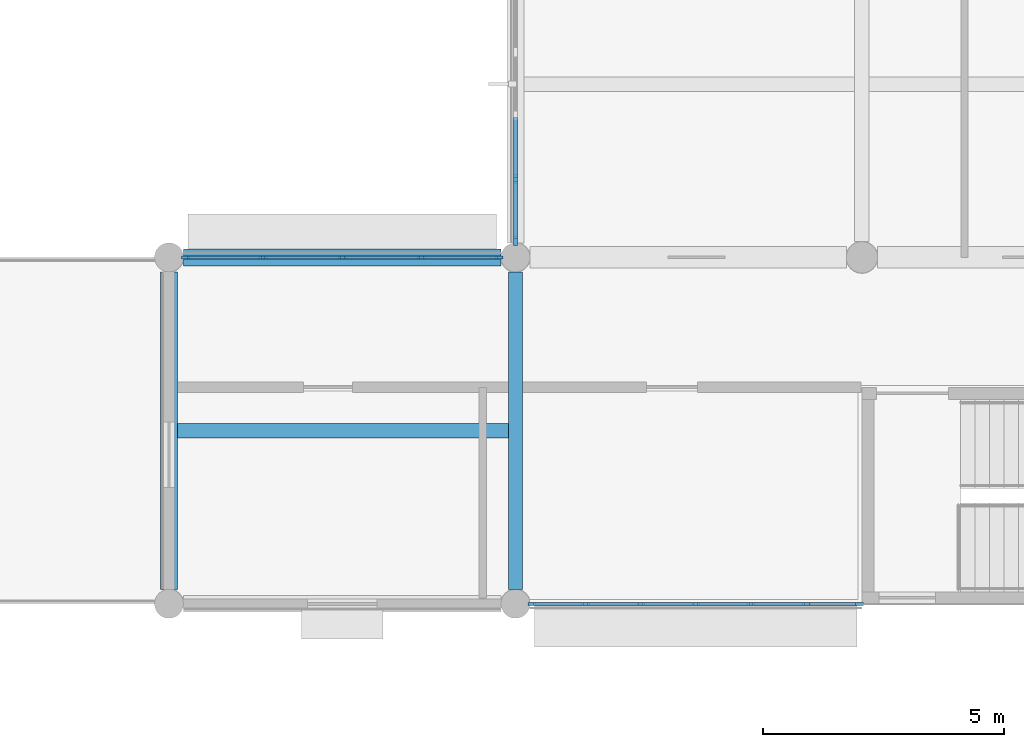
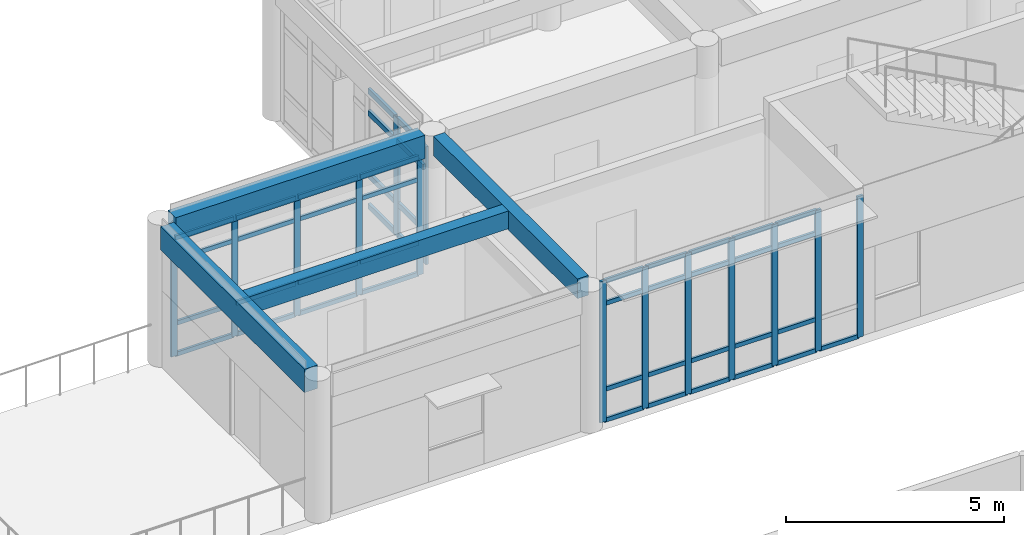
# One storey, part 8 of 55: 59 members, 4 beams, 3 elements without a shape of their own.
"""IFC4 building model written with IfcOpenShell, lengths in metres."""

from ifc_helpers import new_model, si_unit, direction, frame, origin, origin_2d, place, context, subcontext, project, spatial, rectangle, extrude, material, layer, layer_set, material_profile, profile_set, type_object, element, aggregate, save


model = new_model("IFC4")

# Units and contexts
model_context = context("Model", 3, precision=1e-05, world=origin(), true_north=direction((0.0, 1.0)))
body_context = subcontext(model_context, "Body", "Model", "MODEL_VIEW")
ifc_project = project(units=[si_unit("LENGTHUNIT", "METRE"), si_unit("AREAUNIT", "SQUARE_METRE"), si_unit("VOLUMEUNIT", "CUBIC_METRE"), si_unit("PLANEANGLEUNIT", "RADIAN"), si_unit("MASSUNIT", "GRAM", prefix="KILO")], contexts=[model_context])

# Site, building, storey
site_placement = place(None, origin())
site = spatial("IfcSite", under=ifc_project, at=site_placement, CompositionType="ELEMENT")
building_placement = place(site_placement, origin())
building = spatial("IfcBuilding", under=site, at=building_placement, Name="Namkhue Oval Health Centre", CompositionType="ELEMENT")
storey_placement = place(building_placement, frame((0.0, 0.0, 9.60009765625)))
storey = spatial("IfcBuildingStorey", under=building, at=storey_placement, Name="L02", CompositionType="ELEMENT", Elevation=9.60009765625)

# Curtain wall, members
ifc_material_1 = material(Name="Anodised aluminium EN AW-6063 T6", Category="aluminium")
ifc_layer_1 = layer(ifc_material_1, 0.159912109375)
ifc_layer_set_1 = layer_set([ifc_layer_1], Name="Anodised aluminium EN AW-6063 T6")
curtain_wall_type_1 = type_object("IfcCurtainWallType", Name="UNITISED CURTAIN WALL M1200", PredefinedType="NOTDEFINED", material=ifc_layer_set_1)
curtain_wall_1_placement = place(storey_placement, origin())
curtain_wall_1 = element("IfcCurtainWall", 1, at=curtain_wall_1_placement, inside=storey, type_object=curtain_wall_type_1, Name="Volume V2 L02 Unitised Curtain Wall 61", PredefinedType="NOTDEFINED")
ifc_material_profile_1 = material_profile(ifc_material_1, rectangle(XDim=0.06494140625, YDim=0.159912109375, at=origin_2d()), Name="ALU 65x160")
ifc_profile_set_1 = profile_set([ifc_material_profile_1], Name="Anodised aluminium EN AW-6063 T6")
member_type_1 = type_object("IfcMemberType", Name="CURTAIN WALL MULLION 65X160", PredefinedType="MULLION", material=ifc_profile_set_1)
member_1_placement = place(storey_placement, frame((50.742431640625, 90.0, 0.0), z_axis=(0.0, 0.0, 1.0), x_axis=(0.0, 1.0, 0.0)))
member_1 = element("IfcMember", 2, at=member_1_placement, type_object=member_type_1, Name="CW-01 mullion 1", PredefinedType="MULLION", context=body_context, shape_type="SweptSolid", body=[
    extrude(rectangle(XDim=0.06494140625, YDim=0.159912109375, at=origin_2d()), origin(), (0.0, 0.0, 1.0), 3.949951171875),
])
member_2_placement = place(storey_placement, frame((51.85546875, 90.0, 0.0), z_axis=(0.0, 0.0, 1.0), x_axis=(0.0, 1.0, 0.0)))
member_2 = element("IfcMember", 3, at=member_2_placement, type_object=member_type_1, Name="CW-01 mullion 2", PredefinedType="MULLION", context=body_context, shape_type="SweptSolid", body=[
    extrude(rectangle(XDim=0.06494140625, YDim=0.159912109375, at=origin_2d()), origin(), (0.0, 0.0, 1.0), 3.949951171875),
])
member_3_placement = place(storey_placement, frame((53.0009765625, 90.0, 0.0), z_axis=(0.0, 0.0, 1.0), x_axis=(0.0, 1.0, 0.0)))
member_3 = element("IfcMember", 4, at=member_3_placement, type_object=member_type_1, Name="CW-01 mullion 3", PredefinedType="MULLION", context=body_context, shape_type="SweptSolid", body=[
    extrude(rectangle(XDim=0.06494140625, YDim=0.159912109375, at=origin_2d()), origin(), (0.0, 0.0, 1.0), 3.949951171875),
])
member_4_placement = place(storey_placement, frame((54.146484375, 90.0, 0.0), z_axis=(0.0, 0.0, 1.0), x_axis=(0.0, 1.0, 0.0)))
member_4 = element("IfcMember", 5, at=member_4_placement, type_object=member_type_1, Name="CW-01 mullion 4", PredefinedType="MULLION", context=body_context, shape_type="SweptSolid", body=[
    extrude(rectangle(XDim=0.06494140625, YDim=0.159912109375, at=origin_2d()), origin(), (0.0, 0.0, 1.0), 3.949951171875),
])
member_5_placement = place(storey_placement, frame((55.2919921875, 90.0, 0.0), z_axis=(0.0, 0.0, 1.0), x_axis=(0.0, 1.0, 0.0)))
member_5 = element("IfcMember", 6, at=member_5_placement, type_object=member_type_1, Name="CW-01 mullion 5", PredefinedType="MULLION", context=body_context, shape_type="SweptSolid", body=[
    extrude(rectangle(XDim=0.06494140625, YDim=0.159912109375, at=origin_2d()), origin(), (0.0, 0.0, 1.0), 3.949951171875),
])
member_6_placement = place(storey_placement, frame((56.4375, 90.0, 0.0), z_axis=(0.0, 0.0, 1.0), x_axis=(0.0, 1.0, 0.0)))
member_6 = element("IfcMember", 7, at=member_6_placement, type_object=member_type_1, Name="CW-01 mullion 6", PredefinedType="MULLION", context=body_context, shape_type="SweptSolid", body=[
    extrude(rectangle(XDim=0.06494140625, YDim=0.159912109375, at=origin_2d()), origin(), (0.0, 0.0, 1.0), 3.949951171875),
])
member_7_placement = place(storey_placement, frame((57.550537109375, 90.0, 0.0), z_axis=(0.0, 0.0, 1.0), x_axis=(0.0, 1.0, 0.0)))
member_7 = element("IfcMember", 8, at=member_7_placement, type_object=member_type_1, Name="CW-01 mullion 7", PredefinedType="MULLION", context=body_context, shape_type="SweptSolid", body=[
    extrude(rectangle(XDim=0.06494140625, YDim=0.159912109375, at=origin_2d()), origin(), (0.0, 0.0, 1.0), 3.949951171875),
])

ifc_layer_2 = layer(ifc_material_1, 0.159912109375)
ifc_layer_set_2 = layer_set([ifc_layer_2], Name="Anodised aluminium EN AW-6063 T6")
curtain_wall_type_2 = type_object("IfcCurtainWallType", Name="UNITISED CURTAIN WALL M1500", PredefinedType="NOTDEFINED", material=ifc_layer_set_2)
curtain_wall_2_placement = place(storey_placement, origin())
curtain_wall_2 = element("IfcCurtainWall", 9, at=curtain_wall_2_placement, inside=storey, type_object=curtain_wall_type_2, Name="Volume V2 L02 Unitised Curtain Wall 69", PredefinedType="NOTDEFINED")
member_8_placement = place(storey_placement, frame((50.0576171875, 97.199951171875, 0.0), z_axis=(0.0, 0.0, 1.0), x_axis=(0.0, -1.0, 0.0)))
member_8 = element("IfcMember", 10, at=member_8_placement, type_object=member_type_1, Name="CW-03 mullion 1", PredefinedType="MULLION", context=body_context, shape_type="SweptSolid", body=[
    extrude(rectangle(XDim=0.06494140625, YDim=0.159912109375, at=origin_2d()), origin(), (0.0, 0.0, 1.0), 3.327880859375),
])
member_9_placement = place(storey_placement, frame((48.445068359375, 97.199951171875, 0.0), z_axis=(0.0, 0.0, 1.0), x_axis=(0.0, -1.0, 0.0)))
member_9 = element("IfcMember", 11, at=member_9_placement, type_object=member_type_1, Name="CW-03 mullion 2", PredefinedType="MULLION", context=body_context, shape_type="SweptSolid", body=[
    extrude(rectangle(XDim=0.06494140625, YDim=0.159912109375, at=origin_2d()), origin(), (0.0, 0.0, 1.0), 3.327880859375),
])
member_10_placement = place(storey_placement, frame((46.800048828125, 97.199951171875, 0.0), z_axis=(0.0, 0.0, 1.0), x_axis=(0.0, -1.0, 0.0)))
member_10 = element("IfcMember", 12, at=member_10_placement, type_object=member_type_1, Name="CW-03 mullion 3", PredefinedType="MULLION", context=body_context, shape_type="SweptSolid", body=[
    extrude(rectangle(XDim=0.06494140625, YDim=0.159912109375, at=origin_2d()), origin(), (0.0, 0.0, 1.0), 3.327880859375),
])
member_11_placement = place(storey_placement, frame((45.155029296875, 97.199951171875, 0.0), z_axis=(0.0, 0.0, 1.0), x_axis=(0.0, -1.0, 0.0)))
member_11 = element("IfcMember", 13, at=member_11_placement, type_object=member_type_1, Name="CW-03 mullion 4", PredefinedType="MULLION", context=body_context, shape_type="SweptSolid", body=[
    extrude(rectangle(XDim=0.06494140625, YDim=0.159912109375, at=origin_2d()), origin(), (0.0, 0.0, 1.0), 3.327880859375),
])
member_12_placement = place(storey_placement, frame((43.54248046875, 97.199951171875, 0.0), z_axis=(0.0, 0.0, 1.0), x_axis=(0.0, -1.0, 0.0)))
member_12 = element("IfcMember", 14, at=member_12_placement, type_object=member_type_1, Name="CW-03 mullion 5", PredefinedType="MULLION", context=body_context, shape_type="SweptSolid", body=[
    extrude(rectangle(XDim=0.06494140625, YDim=0.159912109375, at=origin_2d()), origin(), (0.0, 0.0, 1.0), 3.327880859375),
])

ifc_layer_3 = layer(ifc_material_1, 0.159912109375)
ifc_layer_set_3 = layer_set([ifc_layer_3], Name="Anodised aluminium EN AW-6063 T6")
curtain_wall_type_3 = type_object("IfcCurtainWallType", Name="UNITISED CURTAIN WALL M1350", PredefinedType="NOTDEFINED", material=ifc_layer_set_3)
curtain_wall_3_placement = place(storey_placement, origin())
curtain_wall_3 = element("IfcCurtainWall", 15, at=curtain_wall_3_placement, inside=storey, type_object=curtain_wall_type_3, Name="Volume V2 L02 Unitised Curtain Wall 68", PredefinedType="NOTDEFINED")
ifc_material_profile_2 = material_profile(ifc_material_1, rectangle(XDim=0.074951171875, YDim=0.199951171875, at=origin_2d()), Name="ALU 75x200")
ifc_profile_set_2 = profile_set([ifc_material_profile_2], Name="Anodised aluminium EN AW-6063 T6")
member_type_2 = type_object("IfcMemberType", Name="CURTAIN WALL MULLION 75X200", PredefinedType="MULLION", material=ifc_profile_set_2)
member_13_placement = place(storey_placement, frame((50.39990234375, 98.825927734375, 0.0), z_axis=(0.0, 0.0, 1.0), x_axis=(1.0, 0.0, 0.0)))
member_13 = element("IfcMember", 16, at=member_13_placement, type_object=member_type_2, Name="CW-02 mullion 5", PredefinedType="MULLION", context=body_context, shape_type="SweptSolid", body=[
    extrude(rectangle(XDim=0.074951171875, YDim=0.199951171875, at=origin_2d()), origin(), (0.0, 0.0, 1.0), 3.2998046875),
])
member_14_placement = place(storey_placement, frame((50.39990234375, 97.547607421875, 0.0), z_axis=(0.0, 0.0, 1.0), x_axis=(1.0, 0.0, 0.0)))
member_14 = element("IfcMember", 17, at=member_14_placement, type_object=member_type_2, Name="CW-02 mullion 6", PredefinedType="MULLION", context=body_context, shape_type="SweptSolid", body=[
    extrude(rectangle(XDim=0.074951171875, YDim=0.199951171875, at=origin_2d()), origin(), (0.0, 0.0, 1.0), 3.2998046875),
])

# Member
ifc_material_profile_3 = material_profile(ifc_material_1, rectangle(XDim=0.06494140625, YDim=0.1201171875, at=origin_2d()), Name="ALU 65x120")
ifc_profile_set_3 = profile_set([ifc_material_profile_3], Name="Anodised aluminium EN AW-6063 T6")
member_type_3 = type_object("IfcMemberType", Name="CURTAIN WALL TRANSOM 65X120", PredefinedType="USERDEFINED", material=ifc_profile_set_3)
member_15_placement = place(storey_placement, frame((50.77490234375, 90.0, 0.032470703125), z_axis=(1.0, 0.0, 0.0), x_axis=(0.0, 1.0, 0.0)))
member_15 = element("IfcMember", 18, at=member_15_placement, type_object=member_type_3, Name="CW-01 transom 1.1", ObjectType="TRANSOM", PredefinedType="USERDEFINED", context=body_context, shape_type="SweptSolid", body=[
    extrude(rectangle(XDim=0.06494140625, YDim=0.1201171875, at=origin_2d()), origin(), (0.0, 0.0, 1.0), 1.048095703125),
])

member_16_placement = place(storey_placement, frame((50.77490234375, 90.0, 0.89990234375), z_axis=(1.0, 0.0, 0.0), x_axis=(0.0, 1.0, 0.0)))
member_16 = element("IfcMember", 19, at=member_16_placement, type_object=member_type_3, Name="CW-01 transom 1.2", ObjectType="TRANSOM", PredefinedType="USERDEFINED", context=body_context, shape_type="SweptSolid", body=[
    extrude(rectangle(XDim=0.06494140625, YDim=0.1201171875, at=origin_2d()), origin(), (0.0, 0.0, 1.0), 1.048095703125),
])

member_17_placement = place(storey_placement, frame((50.77490234375, 90.0, 3.2998046875), z_axis=(1.0, 0.0, 0.0), x_axis=(0.0, 1.0, 0.0)))
member_17 = element("IfcMember", 20, at=member_17_placement, type_object=member_type_3, Name="CW-01 transom 1.3", ObjectType="TRANSOM", PredefinedType="USERDEFINED", context=body_context, shape_type="SweptSolid", body=[
    extrude(rectangle(XDim=0.06494140625, YDim=0.1201171875, at=origin_2d()), origin(), (0.0, 0.0, 1.0), 1.048095703125),
])

member_18_placement = place(storey_placement, frame((50.77490234375, 90.0, 3.91748046875), z_axis=(1.0, 0.0, 0.0), x_axis=(0.0, 1.0, 0.0)))
member_18 = element("IfcMember", 21, at=member_18_placement, type_object=member_type_3, Name="CW-01 transom 1.4", ObjectType="TRANSOM", PredefinedType="USERDEFINED", context=body_context, shape_type="SweptSolid", body=[
    extrude(rectangle(XDim=0.06494140625, YDim=0.1201171875, at=origin_2d()), origin(), (0.0, 0.0, 1.0), 1.048095703125),
])

member_19_placement = place(storey_placement, frame((51.887939453125, 90.0, 0.032470703125), z_axis=(1.0, 0.0, 0.0), x_axis=(0.0, 1.0, 0.0)))
member_19 = element("IfcMember", 22, at=member_19_placement, type_object=member_type_3, Name="CW-01 transom 2.1", ObjectType="TRANSOM", PredefinedType="USERDEFINED", context=body_context, shape_type="SweptSolid", body=[
    extrude(rectangle(XDim=0.06494140625, YDim=0.1201171875, at=origin_2d()), origin(), (0.0, 0.0, 1.0), 1.08056640625),
])

member_20_placement = place(storey_placement, frame((51.887939453125, 90.0, 0.89990234375), z_axis=(1.0, 0.0, 0.0), x_axis=(0.0, 1.0, 0.0)))
member_20 = element("IfcMember", 23, at=member_20_placement, type_object=member_type_3, Name="CW-01 transom 2.2", ObjectType="TRANSOM", PredefinedType="USERDEFINED", context=body_context, shape_type="SweptSolid", body=[
    extrude(rectangle(XDim=0.06494140625, YDim=0.1201171875, at=origin_2d()), origin(), (0.0, 0.0, 1.0), 1.08056640625),
])

member_21_placement = place(storey_placement, frame((51.887939453125, 90.0, 3.2998046875), z_axis=(1.0, 0.0, 0.0), x_axis=(0.0, 1.0, 0.0)))
member_21 = element("IfcMember", 24, at=member_21_placement, type_object=member_type_3, Name="CW-01 transom 2.3", ObjectType="TRANSOM", PredefinedType="USERDEFINED", context=body_context, shape_type="SweptSolid", body=[
    extrude(rectangle(XDim=0.06494140625, YDim=0.1201171875, at=origin_2d()), origin(), (0.0, 0.0, 1.0), 1.08056640625),
])

member_22_placement = place(storey_placement, frame((51.887939453125, 90.0, 3.91748046875), z_axis=(1.0, 0.0, 0.0), x_axis=(0.0, 1.0, 0.0)))
member_22 = element("IfcMember", 25, at=member_22_placement, type_object=member_type_3, Name="CW-01 transom 2.4", ObjectType="TRANSOM", PredefinedType="USERDEFINED", context=body_context, shape_type="SweptSolid", body=[
    extrude(rectangle(XDim=0.06494140625, YDim=0.1201171875, at=origin_2d()), origin(), (0.0, 0.0, 1.0), 1.08056640625),
])

member_23_placement = place(storey_placement, frame((53.033447265625, 90.0, 0.032470703125), z_axis=(1.0, 0.0, 0.0), x_axis=(0.0, 1.0, 0.0)))
member_23 = element("IfcMember", 26, at=member_23_placement, type_object=member_type_3, Name="CW-01 transom 3.1", ObjectType="TRANSOM", PredefinedType="USERDEFINED", context=body_context, shape_type="SweptSolid", body=[
    extrude(rectangle(XDim=0.06494140625, YDim=0.1201171875, at=origin_2d()), origin(), (0.0, 0.0, 1.0), 1.08056640625),
])

member_24_placement = place(storey_placement, frame((53.033447265625, 90.0, 0.89990234375), z_axis=(1.0, 0.0, 0.0), x_axis=(0.0, 1.0, 0.0)))
member_24 = element("IfcMember", 27, at=member_24_placement, type_object=member_type_3, Name="CW-01 transom 3.2", ObjectType="TRANSOM", PredefinedType="USERDEFINED", context=body_context, shape_type="SweptSolid", body=[
    extrude(rectangle(XDim=0.06494140625, YDim=0.1201171875, at=origin_2d()), origin(), (0.0, 0.0, 1.0), 1.08056640625),
])

member_25_placement = place(storey_placement, frame((53.033447265625, 90.0, 3.2998046875), z_axis=(1.0, 0.0, 0.0), x_axis=(0.0, 1.0, 0.0)))
member_25 = element("IfcMember", 28, at=member_25_placement, type_object=member_type_3, Name="CW-01 transom 3.3", ObjectType="TRANSOM", PredefinedType="USERDEFINED", context=body_context, shape_type="SweptSolid", body=[
    extrude(rectangle(XDim=0.06494140625, YDim=0.1201171875, at=origin_2d()), origin(), (0.0, 0.0, 1.0), 1.08056640625),
])

member_26_placement = place(storey_placement, frame((53.033447265625, 90.0, 3.91748046875), z_axis=(1.0, 0.0, 0.0), x_axis=(0.0, 1.0, 0.0)))
member_26 = element("IfcMember", 29, at=member_26_placement, type_object=member_type_3, Name="CW-01 transom 3.4", ObjectType="TRANSOM", PredefinedType="USERDEFINED", context=body_context, shape_type="SweptSolid", body=[
    extrude(rectangle(XDim=0.06494140625, YDim=0.1201171875, at=origin_2d()), origin(), (0.0, 0.0, 1.0), 1.08056640625),
])

member_27_placement = place(storey_placement, frame((54.178955078125, 90.0, 0.032470703125), z_axis=(1.0, 0.0, 0.0), x_axis=(0.0, 1.0, 0.0)))
member_27 = element("IfcMember", 30, at=member_27_placement, type_object=member_type_3, Name="CW-01 transom 4.1", ObjectType="TRANSOM", PredefinedType="USERDEFINED", context=body_context, shape_type="SweptSolid", body=[
    extrude(rectangle(XDim=0.06494140625, YDim=0.1201171875, at=origin_2d()), origin(), (0.0, 0.0, 1.0), 1.08056640625),
])

member_28_placement = place(storey_placement, frame((54.178955078125, 90.0, 0.89990234375), z_axis=(1.0, 0.0, 0.0), x_axis=(0.0, 1.0, 0.0)))
member_28 = element("IfcMember", 31, at=member_28_placement, type_object=member_type_3, Name="CW-01 transom 4.2", ObjectType="TRANSOM", PredefinedType="USERDEFINED", context=body_context, shape_type="SweptSolid", body=[
    extrude(rectangle(XDim=0.06494140625, YDim=0.1201171875, at=origin_2d()), origin(), (0.0, 0.0, 1.0), 1.08056640625),
])

member_29_placement = place(storey_placement, frame((54.178955078125, 90.0, 3.2998046875), z_axis=(1.0, 0.0, 0.0), x_axis=(0.0, 1.0, 0.0)))
member_29 = element("IfcMember", 32, at=member_29_placement, type_object=member_type_3, Name="CW-01 transom 4.3", ObjectType="TRANSOM", PredefinedType="USERDEFINED", context=body_context, shape_type="SweptSolid", body=[
    extrude(rectangle(XDim=0.06494140625, YDim=0.1201171875, at=origin_2d()), origin(), (0.0, 0.0, 1.0), 1.08056640625),
])

member_30_placement = place(storey_placement, frame((54.178955078125, 90.0, 3.91748046875), z_axis=(1.0, 0.0, 0.0), x_axis=(0.0, 1.0, 0.0)))
member_30 = element("IfcMember", 33, at=member_30_placement, type_object=member_type_3, Name="CW-01 transom 4.4", ObjectType="TRANSOM", PredefinedType="USERDEFINED", context=body_context, shape_type="SweptSolid", body=[
    extrude(rectangle(XDim=0.06494140625, YDim=0.1201171875, at=origin_2d()), origin(), (0.0, 0.0, 1.0), 1.08056640625),
])

member_31_placement = place(storey_placement, frame((55.324462890625, 90.0, 0.032470703125), z_axis=(1.0, 0.0, 0.0), x_axis=(0.0, 1.0, 0.0)))
member_31 = element("IfcMember", 34, at=member_31_placement, type_object=member_type_3, Name="CW-01 transom 5.1", ObjectType="TRANSOM", PredefinedType="USERDEFINED", context=body_context, shape_type="SweptSolid", body=[
    extrude(rectangle(XDim=0.06494140625, YDim=0.1201171875, at=origin_2d()), origin(), (0.0, 0.0, 1.0), 1.08056640625),
])

member_32_placement = place(storey_placement, frame((55.324462890625, 90.0, 0.89990234375), z_axis=(1.0, 0.0, 0.0), x_axis=(0.0, 1.0, 0.0)))
member_32 = element("IfcMember", 35, at=member_32_placement, type_object=member_type_3, Name="CW-01 transom 5.2", ObjectType="TRANSOM", PredefinedType="USERDEFINED", context=body_context, shape_type="SweptSolid", body=[
    extrude(rectangle(XDim=0.06494140625, YDim=0.1201171875, at=origin_2d()), origin(), (0.0, 0.0, 1.0), 1.08056640625),
])

member_33_placement = place(storey_placement, frame((55.324462890625, 90.0, 3.2998046875), z_axis=(1.0, 0.0, 0.0), x_axis=(0.0, 1.0, 0.0)))
member_33 = element("IfcMember", 36, at=member_33_placement, type_object=member_type_3, Name="CW-01 transom 5.3", ObjectType="TRANSOM", PredefinedType="USERDEFINED", context=body_context, shape_type="SweptSolid", body=[
    extrude(rectangle(XDim=0.06494140625, YDim=0.1201171875, at=origin_2d()), origin(), (0.0, 0.0, 1.0), 1.08056640625),
])

member_34_placement = place(storey_placement, frame((55.324462890625, 90.0, 3.91748046875), z_axis=(1.0, 0.0, 0.0), x_axis=(0.0, 1.0, 0.0)))
member_34 = element("IfcMember", 37, at=member_34_placement, type_object=member_type_3, Name="CW-01 transom 5.4", ObjectType="TRANSOM", PredefinedType="USERDEFINED", context=body_context, shape_type="SweptSolid", body=[
    extrude(rectangle(XDim=0.06494140625, YDim=0.1201171875, at=origin_2d()), origin(), (0.0, 0.0, 1.0), 1.08056640625),
])

member_35_placement = place(storey_placement, frame((56.469970703125, 90.0, 0.032470703125), z_axis=(1.0, 0.0, 0.0), x_axis=(0.0, 1.0, 0.0)))
member_35 = element("IfcMember", 38, at=member_35_placement, type_object=member_type_3, Name="CW-01 transom 6.1", ObjectType="TRANSOM", PredefinedType="USERDEFINED", context=body_context, shape_type="SweptSolid", body=[
    extrude(rectangle(XDim=0.06494140625, YDim=0.1201171875, at=origin_2d()), origin(), (0.0, 0.0, 1.0), 1.048095703125),
])

aggregate(curtain_wall_1, [member_1, member_2, member_3, member_4, member_5, member_6, member_7, member_15, member_16, member_17, member_18, member_19, member_20, member_21, member_22, member_23, member_24, member_25, member_26, member_27, member_28, member_29, member_30, member_31, member_32, member_33, member_34, member_35])

member_36_placement = place(storey_placement, frame((50.02490234375, 97.199951171875, 0.032470703125), z_axis=(-1.0, 0.0, 0.0), x_axis=(0.0, -1.0, 0.0)))
member_36 = element("IfcMember", 39, at=member_36_placement, type_object=member_type_3, Name="CW-03 transom 1.1", ObjectType="TRANSOM", PredefinedType="USERDEFINED", context=body_context, shape_type="SweptSolid", body=[
    extrude(rectangle(XDim=0.06494140625, YDim=0.1201171875, at=origin_2d()), origin(), (0.0, 0.0, 1.0), 1.54736328125),
])

member_37_placement = place(storey_placement, frame((50.02490234375, 97.199951171875, 0.89990234375), z_axis=(-1.0, 0.0, 0.0), x_axis=(0.0, -1.0, 0.0)))
member_37 = element("IfcMember", 40, at=member_37_placement, type_object=member_type_3, Name="CW-03 transom 1.2", ObjectType="TRANSOM", PredefinedType="USERDEFINED", context=body_context, shape_type="SweptSolid", body=[
    extrude(rectangle(XDim=0.06494140625, YDim=0.1201171875, at=origin_2d()), origin(), (0.0, 0.0, 1.0), 1.54736328125),
])

member_38_placement = place(storey_placement, frame((50.02490234375, 97.199951171875, 2.677978515625), z_axis=(-1.0, 0.0, 0.0), x_axis=(0.0, -1.0, 0.0)))
member_38 = element("IfcMember", 41, at=member_38_placement, type_object=member_type_3, Name="CW-03 transom 1.3", ObjectType="TRANSOM", PredefinedType="USERDEFINED", context=body_context, shape_type="SweptSolid", body=[
    extrude(rectangle(XDim=0.06494140625, YDim=0.1201171875, at=origin_2d()), origin(), (0.0, 0.0, 1.0), 1.54736328125),
])

member_39_placement = place(storey_placement, frame((50.02490234375, 97.199951171875, 3.29541015625), z_axis=(-1.0, 0.0, 0.0), x_axis=(0.0, -1.0, 0.0)))
member_39 = element("IfcMember", 42, at=member_39_placement, type_object=member_type_3, Name="CW-03 transom 1.4", ObjectType="TRANSOM", PredefinedType="USERDEFINED", context=body_context, shape_type="SweptSolid", body=[
    extrude(rectangle(XDim=0.06494140625, YDim=0.1201171875, at=origin_2d()), origin(), (0.0, 0.0, 1.0), 1.54736328125),
])

member_40_placement = place(storey_placement, frame((48.41259765625, 97.199951171875, 0.032470703125), z_axis=(-1.0, 0.0, 0.0), x_axis=(0.0, -1.0, 0.0)))
member_40 = element("IfcMember", 43, at=member_40_placement, type_object=member_type_3, Name="CW-03 transom 2.1", ObjectType="TRANSOM", PredefinedType="USERDEFINED", context=body_context, shape_type="SweptSolid", body=[
    extrude(rectangle(XDim=0.06494140625, YDim=0.1201171875, at=origin_2d()), origin(), (0.0, 0.0, 1.0), 1.580078125),
])

member_41_placement = place(storey_placement, frame((48.41259765625, 97.199951171875, 0.89990234375), z_axis=(-1.0, 0.0, 0.0), x_axis=(0.0, -1.0, 0.0)))
member_41 = element("IfcMember", 44, at=member_41_placement, type_object=member_type_3, Name="CW-03 transom 2.2", ObjectType="TRANSOM", PredefinedType="USERDEFINED", context=body_context, shape_type="SweptSolid", body=[
    extrude(rectangle(XDim=0.06494140625, YDim=0.1201171875, at=origin_2d()), origin(), (0.0, 0.0, 1.0), 1.580078125),
])

member_42_placement = place(storey_placement, frame((48.41259765625, 97.199951171875, 2.677978515625), z_axis=(-1.0, 0.0, 0.0), x_axis=(0.0, -1.0, 0.0)))
member_42 = element("IfcMember", 45, at=member_42_placement, type_object=member_type_3, Name="CW-03 transom 2.3", ObjectType="TRANSOM", PredefinedType="USERDEFINED", context=body_context, shape_type="SweptSolid", body=[
    extrude(rectangle(XDim=0.06494140625, YDim=0.1201171875, at=origin_2d()), origin(), (0.0, 0.0, 1.0), 1.580078125),
])

member_43_placement = place(storey_placement, frame((48.41259765625, 97.199951171875, 3.29541015625), z_axis=(-1.0, 0.0, 0.0), x_axis=(0.0, -1.0, 0.0)))
member_43 = element("IfcMember", 46, at=member_43_placement, type_object=member_type_3, Name="CW-03 transom 2.4", ObjectType="TRANSOM", PredefinedType="USERDEFINED", context=body_context, shape_type="SweptSolid", body=[
    extrude(rectangle(XDim=0.06494140625, YDim=0.1201171875, at=origin_2d()), origin(), (0.0, 0.0, 1.0), 1.580078125),
])

member_44_placement = place(storey_placement, frame((46.767578125, 97.199951171875, 0.032470703125), z_axis=(-1.0, 0.0, 0.0), x_axis=(0.0, -1.0, 0.0)))
member_44 = element("IfcMember", 47, at=member_44_placement, type_object=member_type_3, Name="CW-03 transom 3.1", ObjectType="TRANSOM", PredefinedType="USERDEFINED", context=body_context, shape_type="SweptSolid", body=[
    extrude(rectangle(XDim=0.06494140625, YDim=0.1201171875, at=origin_2d()), origin(), (0.0, 0.0, 1.0), 1.580078125),
])

member_45_placement = place(storey_placement, frame((46.767578125, 97.199951171875, 0.89990234375), z_axis=(-1.0, 0.0, 0.0), x_axis=(0.0, -1.0, 0.0)))
member_45 = element("IfcMember", 48, at=member_45_placement, type_object=member_type_3, Name="CW-03 transom 3.2", ObjectType="TRANSOM", PredefinedType="USERDEFINED", context=body_context, shape_type="SweptSolid", body=[
    extrude(rectangle(XDim=0.06494140625, YDim=0.1201171875, at=origin_2d()), origin(), (0.0, 0.0, 1.0), 1.580078125),
])

member_46_placement = place(storey_placement, frame((46.767578125, 97.199951171875, 2.677978515625), z_axis=(-1.0, 0.0, 0.0), x_axis=(0.0, -1.0, 0.0)))
member_46 = element("IfcMember", 49, at=member_46_placement, type_object=member_type_3, Name="CW-03 transom 3.3", ObjectType="TRANSOM", PredefinedType="USERDEFINED", context=body_context, shape_type="SweptSolid", body=[
    extrude(rectangle(XDim=0.06494140625, YDim=0.1201171875, at=origin_2d()), origin(), (0.0, 0.0, 1.0), 1.580078125),
])

member_47_placement = place(storey_placement, frame((46.767578125, 97.199951171875, 3.29541015625), z_axis=(-1.0, 0.0, 0.0), x_axis=(0.0, -1.0, 0.0)))
member_47 = element("IfcMember", 50, at=member_47_placement, type_object=member_type_3, Name="CW-03 transom 3.4", ObjectType="TRANSOM", PredefinedType="USERDEFINED", context=body_context, shape_type="SweptSolid", body=[
    extrude(rectangle(XDim=0.06494140625, YDim=0.1201171875, at=origin_2d()), origin(), (0.0, 0.0, 1.0), 1.580078125),
])

member_48_placement = place(storey_placement, frame((45.12255859375, 97.199951171875, 0.032470703125), z_axis=(-1.0, 0.0, 0.0), x_axis=(0.0, -1.0, 0.0)))
member_48 = element("IfcMember", 51, at=member_48_placement, type_object=member_type_3, Name="CW-03 transom 4.1", ObjectType="TRANSOM", PredefinedType="USERDEFINED", context=body_context, shape_type="SweptSolid", body=[
    extrude(rectangle(XDim=0.06494140625, YDim=0.1201171875, at=origin_2d()), origin(), (0.0, 0.0, 1.0), 1.547607421875),
])

member_49_placement = place(storey_placement, frame((45.12255859375, 97.199951171875, 0.89990234375), z_axis=(-1.0, 0.0, 0.0), x_axis=(0.0, -1.0, 0.0)))
member_49 = element("IfcMember", 52, at=member_49_placement, type_object=member_type_3, Name="CW-03 transom 4.2", ObjectType="TRANSOM", PredefinedType="USERDEFINED", context=body_context, shape_type="SweptSolid", body=[
    extrude(rectangle(XDim=0.06494140625, YDim=0.1201171875, at=origin_2d()), origin(), (0.0, 0.0, 1.0), 1.547607421875),
])

member_50_placement = place(storey_placement, frame((45.12255859375, 97.199951171875, 2.677978515625), z_axis=(-1.0, 0.0, 0.0), x_axis=(0.0, -1.0, 0.0)))
member_50 = element("IfcMember", 53, at=member_50_placement, type_object=member_type_3, Name="CW-03 transom 4.3", ObjectType="TRANSOM", PredefinedType="USERDEFINED", context=body_context, shape_type="SweptSolid", body=[
    extrude(rectangle(XDim=0.06494140625, YDim=0.1201171875, at=origin_2d()), origin(), (0.0, 0.0, 1.0), 1.547607421875),
])

member_51_placement = place(storey_placement, frame((45.12255859375, 97.199951171875, 3.29541015625), z_axis=(-1.0, 0.0, 0.0), x_axis=(0.0, -1.0, 0.0)))
member_51 = element("IfcMember", 54, at=member_51_placement, type_object=member_type_3, Name="CW-03 transom 4.4", ObjectType="TRANSOM", PredefinedType="USERDEFINED", context=body_context, shape_type="SweptSolid", body=[
    extrude(rectangle(XDim=0.06494140625, YDim=0.1201171875, at=origin_2d()), origin(), (0.0, 0.0, 1.0), 1.547607421875),
])

aggregate(curtain_wall_2, [member_8, member_9, member_10, member_11, member_12, member_36, member_37, member_38, member_39, member_40, member_41, member_42, member_43, member_44, member_45, member_46, member_47, member_48, member_49, member_50, member_51])

ifc_material_profile_4 = material_profile(ifc_material_1, rectangle(XDim=0.074951171875, YDim=0.14990234375, at=origin_2d()), Name="ALU 75x150")
ifc_profile_set_4 = profile_set([ifc_material_profile_4], Name="Anodised aluminium EN AW-6063 T6")
member_type_4 = type_object("IfcMemberType", Name="CURTAIN WALL TRANSOM 75X150", PredefinedType="USERDEFINED", material=ifc_profile_set_4)
member_52_placement = place(storey_placement, frame((50.39990234375, 100.1044921875, 0.037353515625), z_axis=(0.0, -1.0, 0.0), x_axis=(1.0, 0.0, 0.0)))
member_52 = element("IfcMember", 55, at=member_52_placement, type_object=member_type_4, Name="CW-02 transom 4.1", ObjectType="TRANSOM", PredefinedType="USERDEFINED", context=body_context, shape_type="SweptSolid", body=[
    extrude(rectangle(XDim=0.074951171875, YDim=0.14990234375, at=origin_2d()), origin(), (0.0, 0.0, 1.0), 1.240966796875),
])

member_53_placement = place(storey_placement, frame((50.39990234375, 100.1044921875, 0.89990234375), z_axis=(0.0, -1.0, 0.0), x_axis=(1.0, 0.0, 0.0)))
member_53 = element("IfcMember", 56, at=member_53_placement, type_object=member_type_4, Name="CW-02 transom 4.2", ObjectType="TRANSOM", PredefinedType="USERDEFINED", context=body_context, shape_type="SweptSolid", body=[
    extrude(rectangle(XDim=0.074951171875, YDim=0.14990234375, at=origin_2d()), origin(), (0.0, 0.0, 1.0), 1.240966796875),
])

member_54_placement = place(storey_placement, frame((50.39990234375, 100.1044921875, 2.64990234375), z_axis=(0.0, -1.0, 0.0), x_axis=(1.0, 0.0, 0.0)))
member_54 = element("IfcMember", 57, at=member_54_placement, type_object=member_type_4, Name="CW-02 transom 4.3", ObjectType="TRANSOM", PredefinedType="USERDEFINED", context=body_context, shape_type="SweptSolid", body=[
    extrude(rectangle(XDim=0.074951171875, YDim=0.14990234375, at=origin_2d()), origin(), (0.0, 0.0, 1.0), 1.240966796875),
])

member_55_placement = place(storey_placement, frame((50.39990234375, 100.1044921875, 3.262451171875), z_axis=(0.0, -1.0, 0.0), x_axis=(1.0, 0.0, 0.0)))
member_55 = element("IfcMember", 58, at=member_55_placement, type_object=member_type_4, Name="CW-02 transom 4.4", ObjectType="TRANSOM", PredefinedType="USERDEFINED", context=body_context, shape_type="SweptSolid", body=[
    extrude(rectangle(XDim=0.074951171875, YDim=0.14990234375, at=origin_2d()), origin(), (0.0, 0.0, 1.0), 1.240966796875),
])

member_56_placement = place(storey_placement, frame((50.39990234375, 98.78857421875, 0.037353515625), z_axis=(0.0, -1.0, 0.0), x_axis=(1.0, 0.0, 0.0)))
member_56 = element("IfcMember", 59, at=member_56_placement, type_object=member_type_4, Name="CW-02 transom 5.1", ObjectType="TRANSOM", PredefinedType="USERDEFINED", context=body_context, shape_type="SweptSolid", body=[
    extrude(rectangle(XDim=0.074951171875, YDim=0.14990234375, at=origin_2d()), origin(), (0.0, 0.0, 1.0), 1.20361328125),
])

member_57_placement = place(storey_placement, frame((50.39990234375, 98.78857421875, 0.89990234375), z_axis=(0.0, -1.0, 0.0), x_axis=(1.0, 0.0, 0.0)))
member_57 = element("IfcMember", 60, at=member_57_placement, type_object=member_type_4, Name="CW-02 transom 5.2", ObjectType="TRANSOM", PredefinedType="USERDEFINED", context=body_context, shape_type="SweptSolid", body=[
    extrude(rectangle(XDim=0.074951171875, YDim=0.14990234375, at=origin_2d()), origin(), (0.0, 0.0, 1.0), 1.20361328125),
])

member_58_placement = place(storey_placement, frame((50.39990234375, 98.78857421875, 2.64990234375), z_axis=(0.0, -1.0, 0.0), x_axis=(1.0, 0.0, 0.0)))
member_58 = element("IfcMember", 61, at=member_58_placement, type_object=member_type_4, Name="CW-02 transom 5.3", ObjectType="TRANSOM", PredefinedType="USERDEFINED", context=body_context, shape_type="SweptSolid", body=[
    extrude(rectangle(XDim=0.074951171875, YDim=0.14990234375, at=origin_2d()), origin(), (0.0, 0.0, 1.0), 1.20361328125),
])

member_59_placement = place(storey_placement, frame((50.39990234375, 98.78857421875, 3.262451171875), z_axis=(0.0, -1.0, 0.0), x_axis=(1.0, 0.0, 0.0)))
member_59 = element("IfcMember", 62, at=member_59_placement, type_object=member_type_4, Name="CW-02 transom 5.4", ObjectType="TRANSOM", PredefinedType="USERDEFINED", context=body_context, shape_type="SweptSolid", body=[
    extrude(rectangle(XDim=0.074951171875, YDim=0.14990234375, at=origin_2d()), origin(), (0.0, 0.0, 1.0), 1.20361328125),
])

aggregate(curtain_wall_3, [member_13, member_14, member_52, member_53, member_54, member_55, member_56, member_57, member_58, member_59])

# Beams
ifc_material_2 = material(Name="Reinforced concrete C30/37 (TCVN B35)", Category="concrete")
ifc_material_profile_5 = material_profile(ifc_material_2, rectangle(XDim=0.300048828125, YDim=0.550048828125, at=origin_2d()), Name="RC 300x550")
ifc_profile_set_5 = profile_set([ifc_material_profile_5], Name="Reinforced concrete C30/37 (TCVN B35)")
beam_type_1 = type_object("IfcBeamType", Name="FLOOR BEAM RC 300X550", PredefinedType="BEAM", material=ifc_profile_set_5)
beam_1_placement = place(storey_placement, frame((50.39990234375, 90.300048828125, 3.702880859375), z_axis=(0.0, 1.0, 0.0), x_axis=(-1.0, 0.0, 0.0)))
element("IfcBeam", 63, at=beam_1_placement, inside=storey, type_object=beam_type_1, Name="Volume V2 L03 Beam 8/N-O", PredefinedType="BEAM", context=body_context, shape_type="SweptSolid", body=[
    extrude(rectangle(XDim=0.300048828125, YDim=0.550048828125, at=origin_2d()), origin(), (0.0, 0.0, 1.0), 6.599853515625),
])
ifc_material_3 = material(Name="Reinforced concrete C35/45 (TCVN B40)", Category="concrete")
ifc_material_profile_6 = material_profile(ifc_material_3, rectangle(XDim=0.35009765625, YDim=0.64990234375, at=origin_2d()), Name="RC 350x650")
ifc_profile_set_6 = profile_set([ifc_material_profile_6], Name="Reinforced concrete C35/45 (TCVN B40)")
beam_type_2 = type_object("IfcBeamType", Name="PERIMETER SPANDREL BEAM 350X650", PredefinedType="SPANDREL", material=ifc_profile_set_6)
beam_2_placement = place(storey_placement, frame((43.5, 97.199951171875, 3.65283203125), z_axis=(1.0, 0.0, 0.0), x_axis=(0.0, 1.0, 0.0)))
element("IfcBeam", 64, at=beam_2_placement, inside=storey, type_object=beam_type_2, Name="Volume V2 L03 Girder O/7-8", PredefinedType="SPANDREL", context=body_context, shape_type="SweptSolid", body=[
    extrude(rectangle(XDim=0.35009765625, YDim=0.64990234375, at=origin_2d()), origin(), (0.0, 0.0, 1.0), 6.60009765625),
])
beam_3_placement = place(storey_placement, frame((43.199951171875, 90.300048828125, 3.65283203125), z_axis=(0.0, 1.0, 0.0), x_axis=(-1.0, 0.0, 0.0)))
element("IfcBeam", 65, at=beam_3_placement, inside=storey, type_object=beam_type_2, Name="Volume V2 L03 Beam 7/N-O", PredefinedType="SPANDREL", context=body_context, shape_type="SweptSolid", body=[
    extrude(rectangle(XDim=0.35009765625, YDim=0.64990234375, at=origin_2d()), origin(), (0.0, 0.0, 1.0), 6.599853515625),
])
ifc_material_profile_7 = material_profile(ifc_material_2, rectangle(XDim=0.300048828125, YDim=0.5, at=origin_2d()), Name="RC 300x500")
ifc_profile_set_7 = profile_set([ifc_material_profile_7], Name="Reinforced concrete C30/37 (TCVN B35)")
beam_type_3 = type_object("IfcBeamType", Name="SECONDARY JOIST RC 300X500", PredefinedType="JOIST", material=ifc_profile_set_7)
beam_4_placement = place(storey_placement, frame((43.375, 93.60009765625, 3.727783203125), z_axis=(1.0, 0.0, 0.0), x_axis=(0.0, 1.0, 0.0)))
element("IfcBeam", 66, at=beam_4_placement, inside=storey, type_object=beam_type_3, Name="Volume V2 L03 Secondary Joist 7-8", PredefinedType="JOIST", context=body_context, shape_type="SweptSolid", body=[
    extrude(rectangle(XDim=0.300048828125, YDim=0.5, at=origin_2d()), origin(), (0.0, 0.0, 1.0), 6.875),
])

save(model, "model.ifc")
